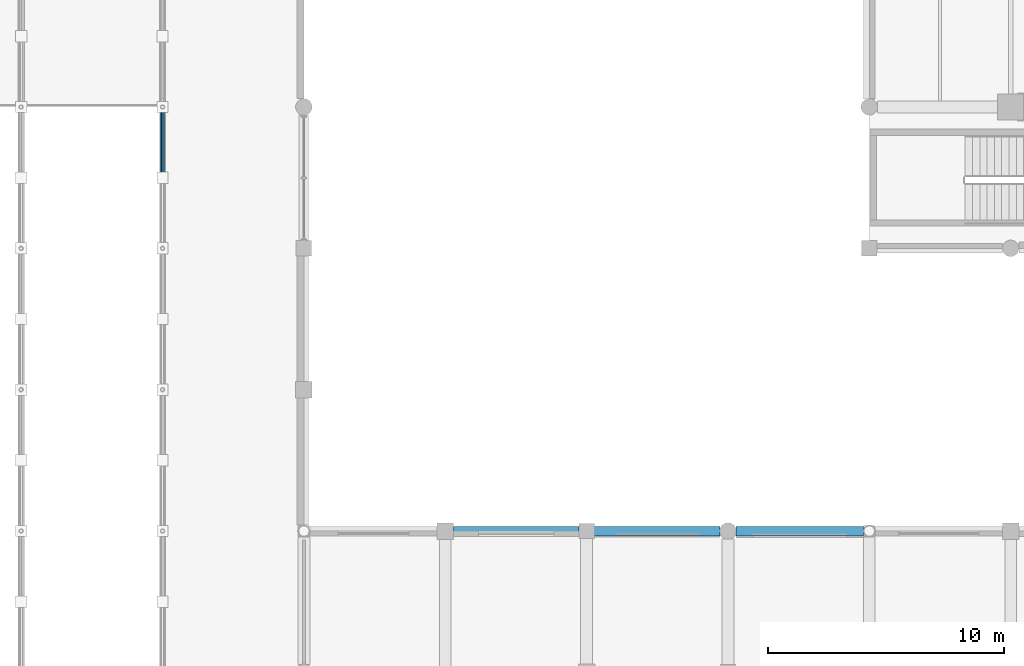
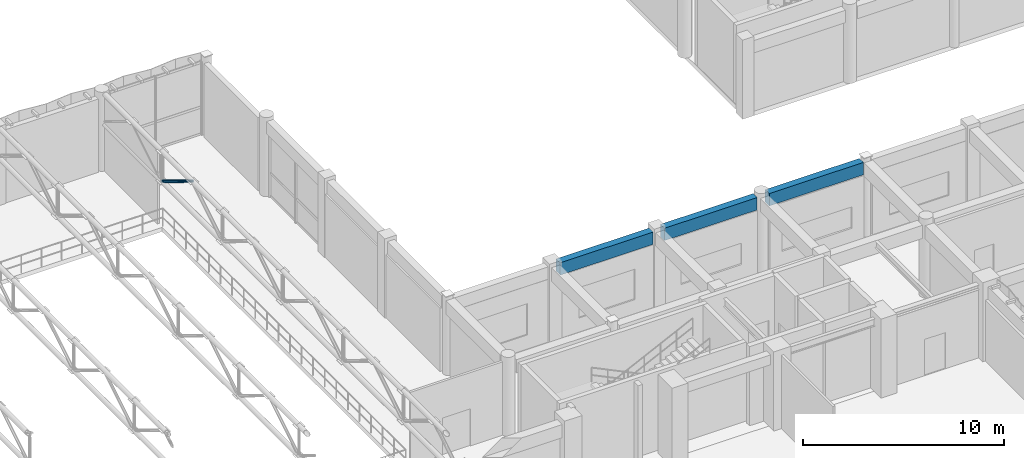
# One storey, part 46 of 123: 3 beams, 1 member.
"""IFC4 building model written with IfcOpenShell, lengths in metres."""

from ifc_helpers import new_model, si_unit, direction, frame, origin, origin_2d, place, context, subcontext, project, spatial, rectangle, hollow_circle, extrude, material, material_profile, profile_set, type_object, element, save


model = new_model("IFC4")

# Units and contexts
model_context = context("Model", 3, precision=1e-05, world=origin(), true_north=direction((0.0, 1.0)))
body_context = subcontext(model_context, "Body", "Model", "MODEL_VIEW")
ifc_project = project(units=[si_unit("LENGTHUNIT", "METRE"), si_unit("AREAUNIT", "SQUARE_METRE"), si_unit("VOLUMEUNIT", "CUBIC_METRE"), si_unit("PLANEANGLEUNIT", "RADIAN"), si_unit("MASSUNIT", "GRAM", prefix="KILO"), si_unit("THERMODYNAMICTEMPERATUREUNIT", "KELVIN"), si_unit("POWERUNIT", "WATT")], contexts=[model_context])

# Site, building, storey
site_placement = place(None, origin())
site = spatial("IfcSite", under=ifc_project, at=site_placement, CompositionType="ELEMENT")
building_placement = place(site_placement, origin())
building = spatial("IfcBuilding", under=site, at=building_placement, Name="Phaisarnlok Congress Hotel", CompositionType="ELEMENT")
storey_placement = place(building_placement, frame((0.0, 0.0, 15.0)))
storey = spatial("IfcBuildingStorey", under=building, at=storey_placement, Name="L03", CompositionType="ELEMENT", Elevation=15.0)

# Member
ifc_material_1 = material(Name="Steel S355", Category="steel")
ifc_material_profile_1 = material_profile(ifc_material_1, hollow_circle(Radius=0.084228515625, WallThickness=0.010009765625, at=origin_2d()), Name="CHS 168.3x10")
ifc_profile_set_1 = profile_set([ifc_material_profile_1], Name="Steel S355")
member_type = type_object("IfcMemberType", Name="MEM-BRC-CHS168", PredefinedType="BRACE", material=ifc_profile_set_1)
member_placement = place(storey_placement, frame((36.0, 114.0, 2.800048828125), z_axis=(0.0, -0.853724612577, 0.520724769797), x_axis=(1.0, 0.0, 0.0)))
element("IfcMember", 1, at=member_placement, inside=storey, type_object=member_type, Name="Spa pavilion truss diagonal TB-01", PredefinedType="BRACE", context=body_context, shape_type="SweptSolid", body=[
    extrude(hollow_circle(Radius=0.084228515625, WallThickness=0.010009765625, at=origin_2d()), origin(), (0.0, 0.0, 1.0), 3.513916015625),
])

# Beams
ifc_material_2 = material(Name="Concrete C40/50", Category="concrete")
ifc_material_profile_2 = material_profile(ifc_material_2, rectangle(XDim=0.39990234375, YDim=0.75, at=origin_2d()), Name="RC 400x750")
ifc_profile_set_2 = profile_set([ifc_material_profile_2], Name="Concrete C40/50")
beam_type = type_object("IfcBeamType", Name="SP-RC-400x750", PredefinedType="SPANDREL", material=ifc_profile_set_2)
for number, where, z_axis, x_axis, name in (
    (2, (48.344970703125, 96.0, 4.18505859375), (1.0, 0.0, 0.0), (0.0, 1.0, 0.0), "Beam SP-02"),
    (3, (54.320068359375, 96.0, 4.18505859375), (1.0, 0.0, 0.0), (0.0, 1.0, 0.0), "Beam SP-02"),
):
    element("IfcBeam", number, at=place(storey_placement, frame(where, z_axis=z_axis, x_axis=x_axis)), inside=storey, type_object=beam_type, Name=name, PredefinedType="SPANDREL", context=body_context, shape_type="SweptSolid", body=[
        extrude(rectangle(XDim=0.39990234375, YDim=0.75, at=origin_2d()), origin(), (0.0, 0.0, 1.0), 5.3349609375),
    ])
beam_placement = place(storey_placement, frame((60.344970703125, 96.0, 4.18505859375), z_axis=(1.0, 0.0, 0.0), x_axis=(0.0, 1.0, 0.0)))
element("IfcBeam", 4, at=beam_placement, inside=storey, type_object=beam_type, Name="Beam SP-02", PredefinedType="SPANDREL", context=body_context, shape_type="SweptSolid", body=[
    extrude(rectangle(XDim=0.39990234375, YDim=0.75, at=origin_2d()), origin(), (0.0, 0.0, 1.0), 5.406005859375),
])

save(model, "model.ifc")
